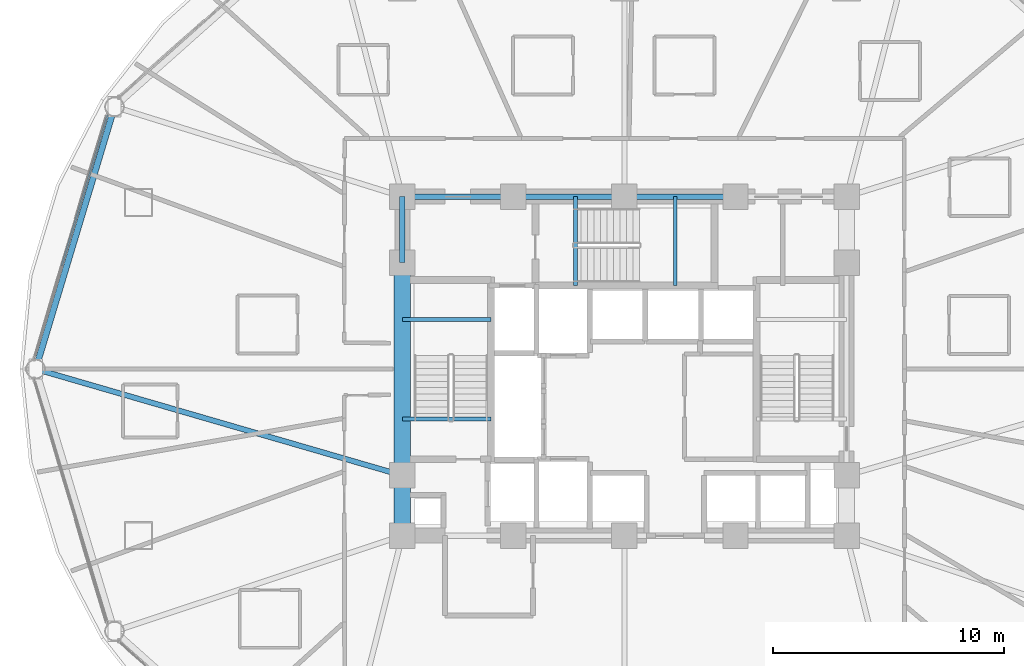
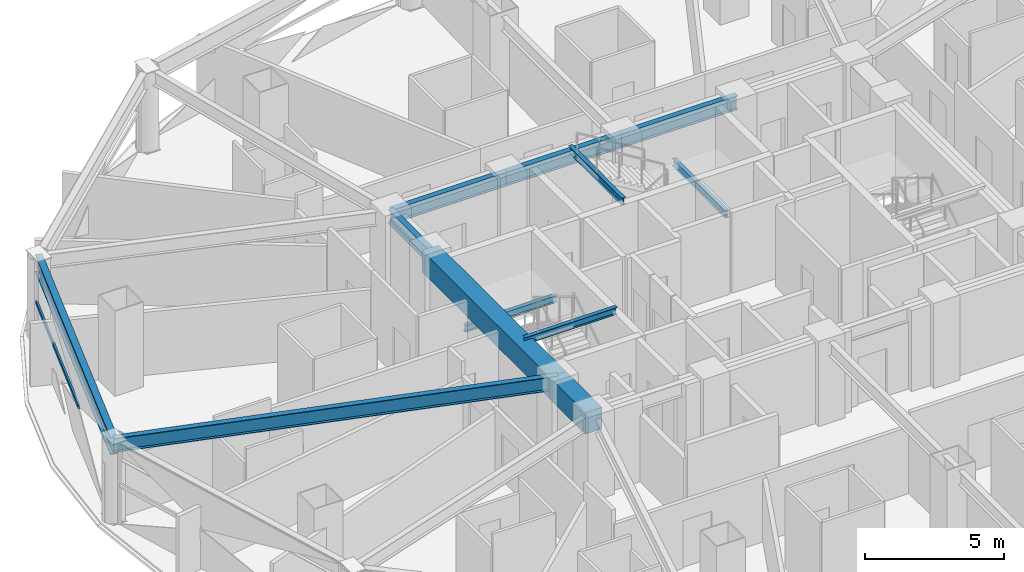
# One storey, part 8 of 31: 12 beams, 1 member, 1 element without a shape of its own.
"""IFC4 building model written with IfcOpenShell, lengths in metres."""

from ifc_helpers import new_model, si_unit, direction, frame, origin, origin_2d, place, context, subcontext, project, spatial, rectangle, hollow_rectangle, i_section, extrude, material, layer, layer_set, material_profile, profile_set, type_object, element, aggregate, save


model = new_model("IFC4")

# Units and contexts
model_context = context("Model", 3, precision=1e-05, world=origin(), true_north=direction((0.0, 1.0)))
body_context = subcontext(model_context, "Body", "Model", "MODEL_VIEW")
ifc_project = project(units=[si_unit("LENGTHUNIT", "METRE"), si_unit("AREAUNIT", "SQUARE_METRE"), si_unit("VOLUMEUNIT", "CUBIC_METRE"), si_unit("PLANEANGLEUNIT", "RADIAN"), si_unit("MASSUNIT", "GRAM", prefix="KILO")], contexts=[model_context])

# Site, building, storey
site_placement = place(None, origin())
site = spatial("IfcSite", under=ifc_project, at=site_placement, CompositionType="ELEMENT")
building_placement = place(site_placement, origin())
building = spatial("IfcBuilding", under=site, at=building_placement, Name="Vantalir Tower", CompositionType="ELEMENT")
storey_placement = place(building_placement, frame((0.0, 0.0, 30.75)))
storey = spatial("IfcBuildingStorey", under=building, at=storey_placement, Name="L06", CompositionType="ELEMENT", Elevation=30.75)

# Beams
ifc_material_1 = material(Name="Concrete C60/75", Category="concrete")
ifc_material_profile_1 = material_profile(ifc_material_1, rectangle(XDim=0.699951171875, YDim=0.949951171875, at=origin_2d()), Name="Concrete C60/75")
ifc_profile_set_1 = profile_set([ifc_material_profile_1], Name="Concrete C60/75")
beam_type_1 = type_object("IfcBeamType", Name="BM-CB-700x950", PredefinedType="USERDEFINED", material=ifc_profile_set_1)
beam_1_placement = place(storey_placement, frame((21.89990234375, 29.60009765625, 3.094970703125), z_axis=(0.0, -1.0, 0.0), x_axis=(1.0, 0.0, 0.0)))
element("IfcBeam", 1, at=beam_1_placement, inside=storey, type_object=beam_type_1, Name="L06 Core Coupling Girder 13", ObjectType="GIRDER", PredefinedType="USERDEFINED", context=body_context, shape_type="SweptSolid", body=[
    extrude(rectangle(XDim=0.699951171875, YDim=0.949951171875, at=origin_2d()), origin(), (0.0, 0.0, 1.0), 9.2001953125),
])
beam_2_placement = place(storey_placement, frame((21.89990234375, 20.39990234375, 3.094970703125), z_axis=(0.0, -1.0, 0.0), x_axis=(1.0, 0.0, 0.0)))
element("IfcBeam", 2, at=beam_2_placement, inside=storey, type_object=beam_type_1, Name="L06 Core Coupling Girder 14", ObjectType="GIRDER", PredefinedType="USERDEFINED", context=body_context, shape_type="SweptSolid", body=[
    extrude(rectangle(XDim=0.699951171875, YDim=0.949951171875, at=origin_2d()), origin(), (0.0, 0.0, 1.0), 2.599853515625),
])
ifc_material_2 = material(Name="Steel S355", Category="steel")
ifc_material_profile_2 = material_profile(ifc_material_2, i_section(OverallWidth=0.166015625, OverallDepth=0.306884765625, WebThickness=0.006591796875, FlangeThickness=0.01171875, at=origin_2d()), Name="Steel S355")
ifc_profile_set_2 = profile_set([ifc_material_profile_2], Name="Steel S355")
beam_type_2 = type_object("IfcBeamType", Name="BM-JS-305x165", PredefinedType="JOIST", material=ifc_profile_set_2)
for number, where, z_axis, x_axis, name in (
    (3, (21.89990234375, 22.8349609375, 3.595947265625), (1.0, 0.0, 0.0), (0.0, 1.0, 0.0), "L07 Stair ST1 Well Nosing Trimmer Beam"),
    (4, (21.89990234375, 27.14501953125, 1.52099609375), (1.0, 0.0, 0.0), (0.0, 1.0, 0.0), "L06 Stair ST1 Half-Landing Support Beam"),
):
    element("IfcBeam", number, at=place(storey_placement, frame(where, z_axis=z_axis, x_axis=x_axis)), inside=storey, type_object=beam_type_2, Name=name, PredefinedType="JOIST", context=body_context, shape_type="SweptSolid", body=[
        extrude(i_section(OverallWidth=0.166015625, OverallDepth=0.306884765625, WebThickness=0.006591796875, FlangeThickness=0.01171875, at=origin_2d()), origin(), (0.0, 0.0, 1.0), 3.840087890625),
    ])
for number, where, z_axis, x_axis, name in (
    (5, (29.385009765625, 28.60009765625, 3.595947265625), (0.0, 1.0, 0.0), (-1.0, 0.0, 0.0), "L07 Stair ST3 Well Nosing Trimmer Beam"),
    (6, (33.695068359375, 28.60009765625, 1.52099609375), (0.0, 1.0, 0.0), (-1.0, 0.0, 0.0), "L06 Stair ST3 Half-Landing Support Beam"),
):
    element("IfcBeam", number, at=place(storey_placement, frame(where, z_axis=z_axis, x_axis=x_axis)), inside=storey, type_object=beam_type_2, Name=name, PredefinedType="JOIST", context=body_context, shape_type="SweptSolid", body=[
        extrude(i_section(OverallWidth=0.166015625, OverallDepth=0.306884765625, WebThickness=0.006591796875, FlangeThickness=0.01171875, at=origin_2d()), origin(), (0.0, 0.0, 1.0), 3.849853515625),
    ])
ifc_material_profile_3 = material_profile(ifc_material_2, i_section(OverallWidth=0.22998046875, OverallDepth=0.616943359375, WebThickness=0.01318359375, FlangeThickness=0.022216796875, at=origin_2d()), Name="Steel S355")
ifc_profile_set_3 = profile_set([ifc_material_profile_3], Name="Steel S355")
beam_type_3 = type_object("IfcBeamType", Name="BM-RB-610x229", PredefinedType="BEAM", material=ifc_profile_set_3)
for number, where, z_axis, x_axis, name in (
    (7, (36.300048828125, 32.449951171875, 3.261962890625), (-1.0, 0.0, 0.0), (0.0, -1.0, 0.0), "L06 Core Coupling Girder 09"),
    (8, (31.5, 32.449951171875, 3.261962890625), (-1.0, 0.0, 0.0), (0.0, -1.0, 0.0), "L06 Core Coupling Girder 10"),
    (9, (26.699951171875, 32.449951171875, 3.261962890625), (-1.0, 0.0, 0.0), (0.0, -1.0, 0.0), "L06 Core Coupling Girder 11"),
):
    element("IfcBeam", number, at=place(storey_placement, frame(where, z_axis=z_axis, x_axis=x_axis)), inside=storey, type_object=beam_type_3, Name=name, PredefinedType="BEAM", context=body_context, shape_type="SweptSolid", body=[
        extrude(i_section(OverallWidth=0.22998046875, OverallDepth=0.616943359375, WebThickness=0.01318359375, FlangeThickness=0.022216796875, at=origin_2d()), origin(), (0.0, 0.0, 1.0), 4.800048828125),
    ])
beam_3_placement = place(storey_placement, frame((21.89990234375, 32.449951171875, 3.261962890625), z_axis=(0.0, -1.0, 0.0), x_axis=(1.0, 0.0, 0.0)))
element("IfcBeam", 10, at=beam_3_placement, inside=storey, type_object=beam_type_3, Name="L06 Core Coupling Girder 12", PredefinedType="BEAM", context=body_context, shape_type="SweptSolid", body=[
    extrude(i_section(OverallWidth=0.22998046875, OverallDepth=0.616943359375, WebThickness=0.01318359375, FlangeThickness=0.022216796875, at=origin_2d()), origin(), (0.0, 0.0, 1.0), 2.849853515625),
])
beam_4_placement = place(storey_placement, frame((6.050048828125, 25.0, 3.261962890625), z_axis=(0.960370116181, -0.27872789589, 0.0), x_axis=(0.27872789589, 0.960370116181, 0.0)))
element("IfcBeam", 11, at=beam_4_placement, inside=storey, type_object=beam_type_3, Name="L06 Radial Floor Beam 07", PredefinedType="BEAM", context=body_context, shape_type="SweptSolid", body=[
    extrude(i_section(OverallWidth=0.22998046875, OverallDepth=0.616943359375, WebThickness=0.01318359375, FlangeThickness=0.022216796875, at=origin_2d()), origin(), (0.0, 0.0, 1.0), 16.50390625),
])
ifc_material_3 = material(Name="Steel S460", Category="steel")
ifc_material_profile_4 = material_profile(ifc_material_3, i_section(OverallWidth=0.26806640625, OverallDepth=0.77001953125, WebThickness=0.015625, FlangeThickness=0.025390625, at=origin_2d()), Name="Steel S460")
ifc_profile_set_4 = profile_set([ifc_material_profile_4], Name="Steel S460")
beam_type_4 = type_object("IfcBeamType", Name="BM-RG-762x267", PredefinedType="USERDEFINED", material=ifc_profile_set_4)
beam_5_placement = place(storey_placement, frame((9.4599609375, 36.33203125, 3.18505859375), z_axis=(-0.288146508643, -0.957586335302, 0.0), x_axis=(0.957586335302, -0.288146508643, 0.0)))
element("IfcBeam", 12, at=beam_5_placement, inside=storey, type_object=beam_type_4, Name="L06 Circumferential Ring Girder 06", ObjectType="GIRDER", PredefinedType="USERDEFINED", context=body_context, shape_type="SweptSolid", body=[
    extrude(i_section(OverallWidth=0.26806640625, OverallDepth=0.77001953125, WebThickness=0.015625, FlangeThickness=0.025390625, at=origin_2d()), origin(), (0.0, 0.0, 1.0), 11.833984375),
])

# Curtain wall, member
ifc_material_4 = material(Name="Champagne-silver PVDF aluminium and double-silver Low-E glass", Category="aluminium")
ifc_layer = layer(ifc_material_4, 0.18994140625)
ifc_layer_set = layer_set([ifc_layer], Name="Champagne-silver PVDF aluminium and double-silver Low-E glass")
curtain_wall_type = type_object("IfcCurtainWallType", Name="CW-DIAMOND-Z1", PredefinedType="USERDEFINED", material=ifc_layer_set)
curtain_wall_placement = place(storey_placement, origin())
curtain_wall = element("IfcCurtainWall", 13, at=curtain_wall_placement, inside=storey, type_object=curtain_wall_type, Name="L06 Quilted Pyramid-Diamond Curtain Wall S06", ObjectType="UNITISED CURTAIN WALL", PredefinedType="USERDEFINED")
ifc_material_5 = material(Name="Champagne-silver PVDF aluminium 6063-T6", Category="aluminium")
ifc_material_profile_5 = material_profile(ifc_material_5, hollow_rectangle(XDim=0.074951171875, YDim=0.159912109375, WallThickness=0.00390625, at=origin_2d()), Name="Champagne-silver PVDF aluminium 6063-T6")
ifc_profile_set_5 = profile_set([ifc_material_profile_5], Name="Champagne-silver PVDF aluminium 6063-T6")
member_type = type_object("IfcMemberType", Name="CWT-160x75", PredefinedType="USERDEFINED", material=ifc_profile_set_5)
member_placement = place(storey_placement, frame((9.159912109375, 35.97705078125, 1.784912109375), z_axis=(-0.291281311736, -0.956637443044, 0.0), x_axis=(0.956637443044, -0.291281311736, 0.0)))
member = element("IfcMember", 14, at=member_placement, type_object=member_type, Name="CW-L06-S06 Pyramid Fold Ridge Transom", ObjectType="TRANSOM", PredefinedType="USERDEFINED", context=body_context, shape_type="SweptSolid", body=[
    extrude(hollow_rectangle(XDim=0.074951171875, YDim=0.159912109375, WallThickness=0.00390625, at=origin_2d()), origin(), (0.0, 0.0, 1.0), 6.817626953125),
])
aggregate(curtain_wall, [member])

save(model, "model.ifc")
